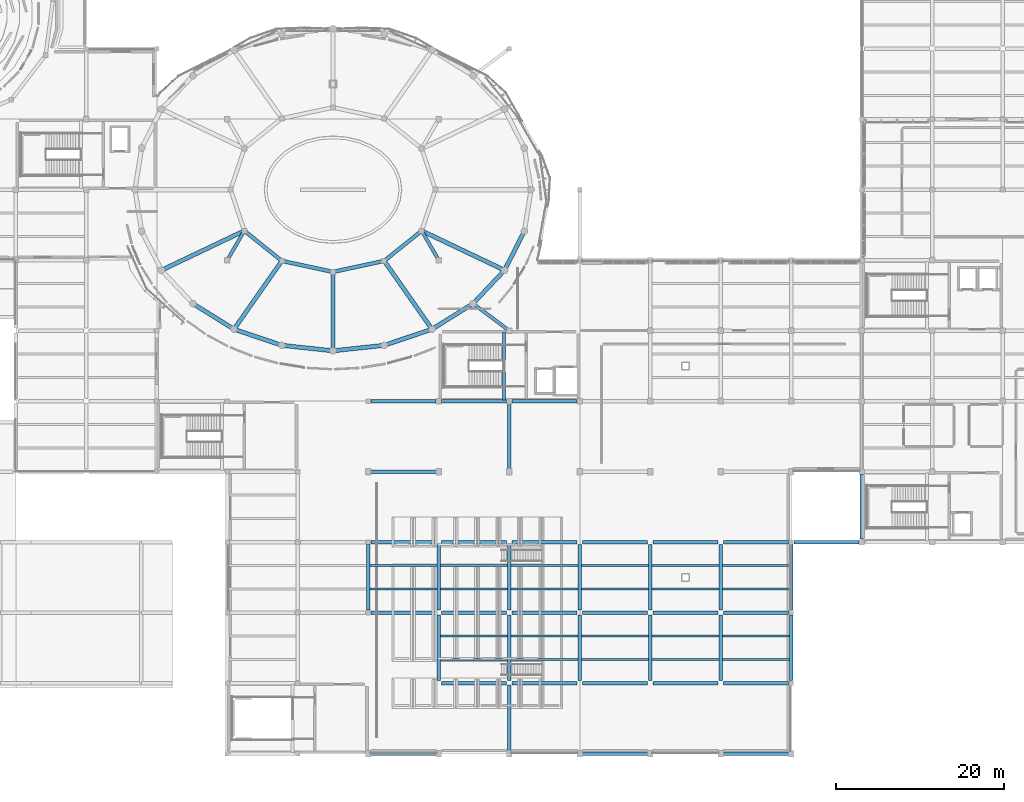
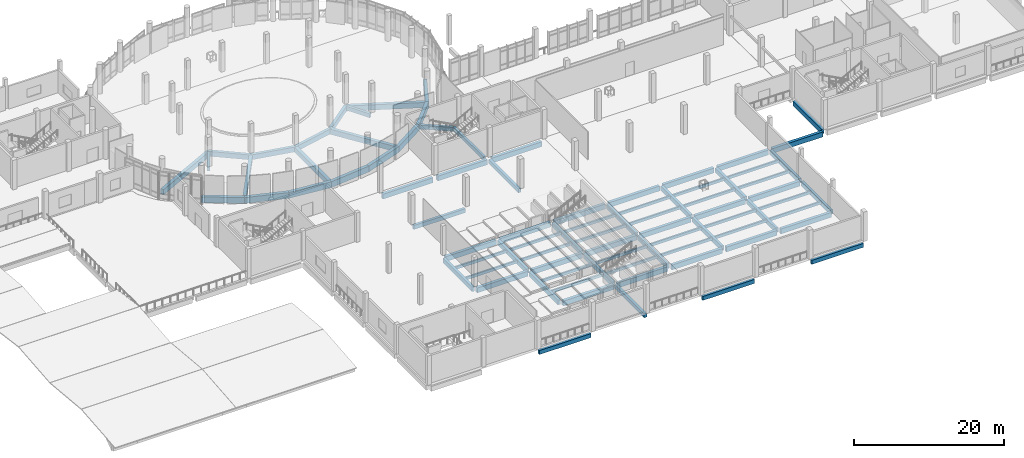
# One storey, part 5 of 63: 84 beams.
"""IFC4 building model written with IfcOpenShell, lengths in metres."""

from ifc_helpers import new_model, si_unit, derived_unit, direction, frame, origin, origin_2d, place, context, subcontext, project, spatial, rectangle, extrude, material, material_profile, profile_set, type_object, element, save


model = new_model("IFC4")

# Units and contexts
model_context = context("Model", 3, precision=1e-05, world=origin(), true_north=direction((0.0, 1.0)))
body_context = subcontext(model_context, "Body", "Model", "MODEL_VIEW")
ifc_project = project(units=[si_unit("LENGTHUNIT", "METRE"), si_unit("AREAUNIT", "SQUARE_METRE"), si_unit("VOLUMEUNIT", "CUBIC_METRE"), si_unit("PLANEANGLEUNIT", "RADIAN"), si_unit("MASSUNIT", "GRAM", prefix="KILO"), derived_unit("THERMALTRANSMITTANCEUNIT", [(si_unit("POWERUNIT", "WATT"), 1), (si_unit("LENGTHUNIT", "METRE"), -2), (si_unit("THERMODYNAMICTEMPERATUREUNIT", "KELVIN"), -1)])], contexts=[model_context])

# Site, building, storey
site_placement = place(None, origin())
site = spatial("IfcSite", under=ifc_project, at=site_placement, CompositionType="ELEMENT")
building_placement = place(site_placement, origin())
building = spatial("IfcBuilding", under=site, at=building_placement, Name="Elbkamm Science Centre", CompositionType="ELEMENT")
storey_placement = place(building_placement, frame((0.0, 0.0, 5.10009765625)))
storey = spatial("IfcBuildingStorey", under=building, at=storey_placement, Name="L01", CompositionType="ELEMENT", Elevation=5.10009765625)

# Beams
ifc_material = material(Name="Concrete C40/50", Category="concrete")
ifc_material_profile_1 = material_profile(ifc_material, rectangle(XDim=0.35009765625, YDim=0.60009765625, at=origin_2d()), Name="RC 350x600")
ifc_profile_set_1 = profile_set([ifc_material_profile_1], Name="Concrete C40/50")
beam_type_1 = type_object("IfcBeamType", Name="BM-RC-350x600", PredefinedType="BEAM", material=ifc_profile_set_1)
beam_1_placement = place(storey_placement, frame((83.3798828125, 42.14990234375, -0.300048828125), z_axis=(0.0, 1.0, 0.0), x_axis=(-1.0, 0.0, 0.0)))
element("IfcBeam", 1, at=beam_1_placement, inside=storey, type_object=beam_type_1, Name="L01 ST-C2 Landing Trimmer Beam", PredefinedType="BEAM", context=body_context, shape_type="SweptSolid", body=[
    extrude(rectangle(XDim=0.35009765625, YDim=0.60009765625, at=origin_2d()), origin(), (0.0, 0.0, 1.0), 8.10009765625),
])
ifc_material_profile_2 = material_profile(ifc_material, rectangle(XDim=0.39990234375, YDim=0.64990234375, at=origin_2d()), Name="RC 400x650")
ifc_profile_set_2 = profile_set([ifc_material_profile_2], Name="Concrete C40/50")
beam_type_2 = type_object("IfcBeamType", Name="BM-RC-400x650", PredefinedType="BEAM", material=ifc_profile_set_2)
for number, where, z_axis, x_axis, name in (
    (2, (67.419921875, 0.0, -0.72509765625), (1.0, 0.0, 0.0), (0.0, 1.0, 0.0), "L01 Perimeter Ring Tie Girder 018"),
    (3, (67.419921875, 33.60009765625, -0.72509765625), (1.0, 0.0, 0.0), (0.0, 1.0, 0.0), "L01 Perimeter Ring Tie Girder 019"),
    (4, (84.0, 0.219970703125, -0.72509765625), (0.0, 1.0, 0.0), (-1.0, 0.0, 0.0), "L01 Perimeter Ring Tie Girder 020"),
    (5, (84.0, 33.820068359375, -0.72509765625), (0.0, 1.0, 0.0), (-1.0, 0.0, 0.0), "L01 Perimeter Ring Tie Girder 021"),
    (6, (92.6201171875, 0.0, -0.72509765625), (1.0, 0.0, 0.0), (0.0, 1.0, 0.0), "L01 Perimeter Ring Tie Girder 022"),
    (7, (109.419921875, 0.0, -0.72509765625), (1.0, 0.0, 0.0), (0.0, 1.0, 0.0), "L01 Perimeter Ring Tie Girder 024"),
):
    element("IfcBeam", number, at=place(storey_placement, frame(where, z_axis=z_axis, x_axis=x_axis)), inside=storey, type_object=beam_type_2, Name=name, PredefinedType="BEAM", context=body_context, shape_type="SweptSolid", body=[
        extrude(rectangle(XDim=0.39990234375, YDim=0.64990234375, at=origin_2d()), origin(), (0.0, 0.0, 1.0), 7.9599609375),
    ])
for number, where, z_axis, x_axis, name in (
    (8, (50.510498046875, 58.990234375, -0.72509765625), (0.502465212806, 0.864597426506, 0.0), (-0.864597426506, 0.502465212806, 0.0), "L01 Perimeter Ring Tie Girder 027"),
    (9, (75.489501953125, 58.990234375, -0.72509765625), (-0.502465212806, 0.864597426506, 0.0), (-0.864597426506, -0.502465212806, 0.0), "L01 Perimeter Ring Tie Girder 029"),
):
    element("IfcBeam", number, at=place(storey_placement, frame(where, z_axis=z_axis, x_axis=x_axis)), inside=storey, type_object=beam_type_2, Name=name, PredefinedType="BEAM", context=body_context, shape_type="SweptSolid", body=[
        extrude(rectangle(XDim=0.39990234375, YDim=0.64990234375, at=origin_2d()), origin(), (0.0, 0.0, 1.0), 3.608154296875),
    ])
beam_2_placement = place(storey_placement, frame((83.82373046875, 50.53173828125, -0.72509765625), z_axis=(-0.80088801, 0.59881415768, 0.0), x_axis=(-0.59881415768, -0.80088801, 0.0)))
element("IfcBeam", 10, at=beam_2_placement, inside=storey, type_object=beam_type_2, Name="L01 Perimeter Ring Tie Girder 031", PredefinedType="BEAM", context=body_context, shape_type="SweptSolid", body=[
    extrude(rectangle(XDim=0.39990234375, YDim=0.64990234375, at=origin_2d()), origin(), (0.0, 0.0, 1.0), 4.94384765625),
])
ifc_material_profile_3 = material_profile(ifc_material, rectangle(XDim=0.39990234375, YDim=0.75, at=origin_2d()), Name="RC 400x750")
ifc_profile_set_3 = profile_set([ifc_material_profile_3], Name="Concrete C40/50")
beam_type_3 = type_object("IfcBeamType", Name="BM-RC-400x750", PredefinedType="BEAM", material=ifc_profile_set_3)
beam_3_placement = place(storey_placement, frame((67.199951171875, 17.10009765625, -0.775146484375), z_axis=(0.0, 1.0, 0.0), x_axis=(-1.0, 0.0, 0.0)))
element("IfcBeam", 11, at=beam_3_placement, inside=storey, type_object=beam_type_3, Name="L01 Primary Y-Girder 021", PredefinedType="BEAM", context=body_context, shape_type="SweptSolid", body=[
    extrude(rectangle(XDim=0.39990234375, YDim=0.75, at=origin_2d()), origin(), (0.0, 0.0, 1.0), 7.7998046875),
])
beam_4_placement = place(storey_placement, frame((75.60009765625, 8.699951171875, -0.775146484375), z_axis=(0.0, 1.0, 0.0), x_axis=(-1.0, 0.0, 0.0)))
element("IfcBeam", 12, at=beam_4_placement, inside=storey, type_object=beam_type_3, Name="L01 Primary Y-Girder 022", PredefinedType="BEAM", context=body_context, shape_type="SweptSolid", body=[
    extrude(rectangle(XDim=0.39990234375, YDim=0.75, at=origin_2d()), origin(), (0.0, 0.0, 1.0), 7.800048828125),
])
beam_5_placement = place(storey_placement, frame((75.60009765625, 17.10009765625, -0.775146484375), z_axis=(0.0, 1.0, 0.0), x_axis=(-1.0, 0.0, 0.0)))
element("IfcBeam", 13, at=beam_5_placement, inside=storey, type_object=beam_type_3, Name="L01 Primary Y-Girder 023", PredefinedType="BEAM", context=body_context, shape_type="SweptSolid", body=[
    extrude(rectangle(XDim=0.39990234375, YDim=0.75, at=origin_2d()), origin(), (0.0, 0.0, 1.0), 7.7998046875),
])
beam_6_placement = place(storey_placement, frame((84.0, 8.699951171875, -0.775146484375), z_axis=(0.0, 1.0, 0.0), x_axis=(-1.0, 0.0, 0.0)))
element("IfcBeam", 14, at=beam_6_placement, inside=storey, type_object=beam_type_3, Name="L01 Primary Y-Girder 024", PredefinedType="BEAM", context=body_context, shape_type="SweptSolid", body=[
    extrude(rectangle(XDim=0.39990234375, YDim=0.75, at=origin_2d()), origin(), (0.0, 0.0, 1.0), 7.800048828125),
])
beam_7_placement = place(storey_placement, frame((84.0, 17.10009765625, -0.775146484375), z_axis=(0.0, 1.0, 0.0), x_axis=(-1.0, 0.0, 0.0)))
element("IfcBeam", 15, at=beam_7_placement, inside=storey, type_object=beam_type_3, Name="L01 Primary Y-Girder 025", PredefinedType="BEAM", context=body_context, shape_type="SweptSolid", body=[
    extrude(rectangle(XDim=0.39990234375, YDim=0.75, at=origin_2d()), origin(), (0.0, 0.0, 1.0), 7.7998046875),
])
beam_8_placement = place(storey_placement, frame((92.39990234375, 8.699951171875, -0.775146484375), z_axis=(0.0, 1.0, 0.0), x_axis=(-1.0, 0.0, 0.0)))
element("IfcBeam", 16, at=beam_8_placement, inside=storey, type_object=beam_type_3, Name="L01 Primary Y-Girder 026", PredefinedType="BEAM", context=body_context, shape_type="SweptSolid", body=[
    extrude(rectangle(XDim=0.39990234375, YDim=0.75, at=origin_2d()), origin(), (0.0, 0.0, 1.0), 7.800048828125),
])
beam_9_placement = place(storey_placement, frame((92.39990234375, 17.10009765625, -0.775146484375), z_axis=(0.0, 1.0, 0.0), x_axis=(-1.0, 0.0, 0.0)))
element("IfcBeam", 17, at=beam_9_placement, inside=storey, type_object=beam_type_3, Name="L01 Primary Y-Girder 027", PredefinedType="BEAM", context=body_context, shape_type="SweptSolid", body=[
    extrude(rectangle(XDim=0.39990234375, YDim=0.75, at=origin_2d()), origin(), (0.0, 0.0, 1.0), 7.7998046875),
])
beam_10_placement = place(storey_placement, frame((100.800048828125, 8.699951171875, -0.775146484375), z_axis=(0.0, 1.0, 0.0), x_axis=(-1.0, 0.0, 0.0)))
element("IfcBeam", 18, at=beam_10_placement, inside=storey, type_object=beam_type_3, Name="L01 Primary Y-Girder 029", PredefinedType="BEAM", context=body_context, shape_type="SweptSolid", body=[
    extrude(rectangle(XDim=0.39990234375, YDim=0.75, at=origin_2d()), origin(), (0.0, 0.0, 1.0), 7.800048828125),
])
beam_11_placement = place(storey_placement, frame((100.800048828125, 17.10009765625, -0.775146484375), z_axis=(0.0, 1.0, 0.0), x_axis=(-1.0, 0.0, 0.0)))
element("IfcBeam", 19, at=beam_11_placement, inside=storey, type_object=beam_type_3, Name="L01 Primary Y-Girder 030", PredefinedType="BEAM", context=body_context, shape_type="SweptSolid", body=[
    extrude(rectangle(XDim=0.39990234375, YDim=0.75, at=origin_2d()), origin(), (0.0, 0.0, 1.0), 7.7998046875),
])
beam_12_placement = place(storey_placement, frame((109.199951171875, 8.699951171875, -0.775146484375), z_axis=(0.0, 1.0, 0.0), x_axis=(-1.0, 0.0, 0.0)))
element("IfcBeam", 20, at=beam_12_placement, inside=storey, type_object=beam_type_3, Name="L01 Primary Y-Girder 033", PredefinedType="BEAM", context=body_context, shape_type="SweptSolid", body=[
    extrude(rectangle(XDim=0.39990234375, YDim=0.75, at=origin_2d()), origin(), (0.0, 0.0, 1.0), 7.800048828125),
])
beam_13_placement = place(storey_placement, frame((109.199951171875, 17.10009765625, -0.775146484375), z_axis=(0.0, 1.0, 0.0), x_axis=(-1.0, 0.0, 0.0)))
element("IfcBeam", 21, at=beam_13_placement, inside=storey, type_object=beam_type_3, Name="L01 Primary Y-Girder 034", PredefinedType="BEAM", context=body_context, shape_type="SweptSolid", body=[
    extrude(rectangle(XDim=0.39990234375, YDim=0.75, at=origin_2d()), origin(), (0.0, 0.0, 1.0), 7.7998046875),
])
beam_14_placement = place(storey_placement, frame((117.60009765625, 8.699951171875, -0.775146484375), z_axis=(0.0, 1.0, 0.0), x_axis=(-1.0, 0.0, 0.0)))
element("IfcBeam", 22, at=beam_14_placement, inside=storey, type_object=beam_type_3, Name="L01 Primary Y-Girder 037", PredefinedType="BEAM", context=body_context, shape_type="SweptSolid", body=[
    extrude(rectangle(XDim=0.39990234375, YDim=0.75, at=origin_2d()), origin(), (0.0, 0.0, 1.0), 7.800048828125),
])
beam_15_placement = place(storey_placement, frame((117.60009765625, 17.10009765625, -0.775146484375), z_axis=(0.0, 1.0, 0.0), x_axis=(-1.0, 0.0, 0.0)))
element("IfcBeam", 23, at=beam_15_placement, inside=storey, type_object=beam_type_3, Name="L01 Primary Y-Girder 038", PredefinedType="BEAM", context=body_context, shape_type="SweptSolid", body=[
    extrude(rectangle(XDim=0.39990234375, YDim=0.75, at=origin_2d()), origin(), (0.0, 0.0, 1.0), 7.7998046875),
])
beam_16_placement = place(storey_placement, frame((126.0, 25.550048828125, -0.775146484375), z_axis=(0.0, 1.0, 0.0), x_axis=(-1.0, 0.0, 0.0)))
element("IfcBeam", 24, at=beam_16_placement, inside=storey, type_object=beam_type_3, Name="L01 Primary Y-Girder 041", PredefinedType="BEAM", context=body_context, shape_type="SweptSolid", body=[
    extrude(rectangle(XDim=0.39990234375, YDim=0.75, at=origin_2d()), origin(), (0.0, 0.0, 1.0), 7.699951171875),
])
ifc_material_profile_4 = material_profile(ifc_material, rectangle(XDim=0.449951171875, YDim=0.800048828125, at=origin_2d()), Name="RC 450x800")
ifc_profile_set_4 = profile_set([ifc_material_profile_4], Name="Concrete C40/50")
beam_type_4 = type_object("IfcBeamType", Name="BM-RC-450x800", PredefinedType="BEAM", material=ifc_profile_set_4)
for number, where, z_axis, x_axis, name in (
    (25, (75.89990234375, 8.39990234375, -0.800048828125), (1.0, 0.0, 0.0), (0.0, 1.0, 0.0), "L01 Primary X-Girder 003"),
    (26, (84.300048828125, 8.39990234375, -0.800048828125), (1.0, 0.0, 0.0), (0.0, 1.0, 0.0), "L01 Primary X-Girder 004"),
    (27, (92.699951171875, 8.39990234375, -0.800048828125), (1.0, 0.0, 0.0), (0.0, 1.0, 0.0), "L01 Primary X-Girder 005"),
):
    element("IfcBeam", number, at=place(storey_placement, frame(where, z_axis=z_axis, x_axis=x_axis)), inside=storey, type_object=beam_type_4, Name=name, PredefinedType="BEAM", context=body_context, shape_type="SweptSolid", body=[
        extrude(rectangle(XDim=0.449951171875, YDim=0.800048828125, at=origin_2d()), origin(), (0.0, 0.0, 1.0), 7.800048828125),
    ])
beam_17_placement = place(storey_placement, frame((101.10009765625, 8.39990234375, -0.800048828125), z_axis=(1.0, 0.0, 0.0), x_axis=(0.0, 1.0, 0.0)))
element("IfcBeam", 28, at=beam_17_placement, inside=storey, type_object=beam_type_4, Name="L01 Primary X-Girder 006", PredefinedType="BEAM", context=body_context, shape_type="SweptSolid", body=[
    extrude(rectangle(XDim=0.449951171875, YDim=0.800048828125, at=origin_2d()), origin(), (0.0, 0.0, 1.0), 7.7998046875),
])
for number, where, z_axis, x_axis, name in (
    (29, (109.5, 8.39990234375, -0.800048828125), (1.0, 0.0, 0.0), (0.0, 1.0, 0.0), "L01 Primary X-Girder 007"),
    (30, (67.5, 16.800048828125, -0.800048828125), (1.0, 0.0, 0.0), (0.0, 1.0, 0.0), "L01 Primary X-Girder 010"),
    (31, (75.89990234375, 16.800048828125, -0.800048828125), (1.0, 0.0, 0.0), (0.0, 1.0, 0.0), "L01 Primary X-Girder 011"),
    (32, (84.300048828125, 16.800048828125, -0.800048828125), (1.0, 0.0, 0.0), (0.0, 1.0, 0.0), "L01 Primary X-Girder 012"),
    (33, (92.699951171875, 16.800048828125, -0.800048828125), (1.0, 0.0, 0.0), (0.0, 1.0, 0.0), "L01 Primary X-Girder 013"),
):
    element("IfcBeam", number, at=place(storey_placement, frame(where, z_axis=z_axis, x_axis=x_axis)), inside=storey, type_object=beam_type_4, Name=name, PredefinedType="BEAM", context=body_context, shape_type="SweptSolid", body=[
        extrude(rectangle(XDim=0.449951171875, YDim=0.800048828125, at=origin_2d()), origin(), (0.0, 0.0, 1.0), 7.800048828125),
    ])
beam_18_placement = place(storey_placement, frame((101.10009765625, 16.800048828125, -0.800048828125), z_axis=(1.0, 0.0, 0.0), x_axis=(0.0, 1.0, 0.0)))
element("IfcBeam", 34, at=beam_18_placement, inside=storey, type_object=beam_type_4, Name="L01 Primary X-Girder 014", PredefinedType="BEAM", context=body_context, shape_type="SweptSolid", body=[
    extrude(rectangle(XDim=0.449951171875, YDim=0.800048828125, at=origin_2d()), origin(), (0.0, 0.0, 1.0), 7.7998046875),
])
for number, where, z_axis, x_axis, name in (
    (35, (109.5, 16.800048828125, -0.800048828125), (1.0, 0.0, 0.0), (0.0, 1.0, 0.0), "L01 Primary X-Girder 015"),
    (36, (67.5, 25.199951171875, -0.800048828125), (1.0, 0.0, 0.0), (0.0, 1.0, 0.0), "L01 Primary X-Girder 018"),
    (37, (75.89990234375, 25.199951171875, -0.800048828125), (1.0, 0.0, 0.0), (0.0, 1.0, 0.0), "L01 Primary X-Girder 019"),
    (38, (84.300048828125, 25.199951171875, -0.800048828125), (1.0, 0.0, 0.0), (0.0, 1.0, 0.0), "L01 Primary X-Girder 020"),
    (39, (92.699951171875, 25.199951171875, -0.800048828125), (1.0, 0.0, 0.0), (0.0, 1.0, 0.0), "L01 Primary X-Girder 021"),
):
    element("IfcBeam", number, at=place(storey_placement, frame(where, z_axis=z_axis, x_axis=x_axis)), inside=storey, type_object=beam_type_4, Name=name, PredefinedType="BEAM", context=body_context, shape_type="SweptSolid", body=[
        extrude(rectangle(XDim=0.449951171875, YDim=0.800048828125, at=origin_2d()), origin(), (0.0, 0.0, 1.0), 7.800048828125),
    ])
beam_19_placement = place(storey_placement, frame((101.10009765625, 25.199951171875, -0.800048828125), z_axis=(1.0, 0.0, 0.0), x_axis=(0.0, 1.0, 0.0)))
element("IfcBeam", 40, at=beam_19_placement, inside=storey, type_object=beam_type_4, Name="L01 Primary X-Girder 022", PredefinedType="BEAM", context=body_context, shape_type="SweptSolid", body=[
    extrude(rectangle(XDim=0.449951171875, YDim=0.800048828125, at=origin_2d()), origin(), (0.0, 0.0, 1.0), 7.7998046875),
])
beam_20_placement = place(storey_placement, frame((109.5, 25.199951171875, -0.800048828125), z_axis=(1.0, 0.0, 0.0), x_axis=(0.0, 1.0, 0.0)))
element("IfcBeam", 41, at=beam_20_placement, inside=storey, type_object=beam_type_4, Name="L01 Primary X-Girder 023", PredefinedType="BEAM", context=body_context, shape_type="SweptSolid", body=[
    extrude(rectangle(XDim=0.449951171875, YDim=0.800048828125, at=origin_2d()), origin(), (0.0, 0.0, 1.0), 7.800048828125),
])
for number, where, z_axis, x_axis, name in (
    (42, (117.89990234375, 25.199951171875, -0.800048828125), (1.0, 0.0, 0.0), (0.0, 1.0, 0.0), "L01 Primary X-Girder 024"),
    (43, (67.5, 42.0, -0.800048828125), (1.0, 0.0, 0.0), (0.0, 1.0, 0.0), "L01 Primary X-Girder 038"),
):
    element("IfcBeam", number, at=place(storey_placement, frame(where, z_axis=z_axis, x_axis=x_axis)), inside=storey, type_object=beam_type_4, Name=name, PredefinedType="BEAM", context=body_context, shape_type="SweptSolid", body=[
        extrude(rectangle(XDim=0.449951171875, YDim=0.800048828125, at=origin_2d()), origin(), (0.0, 0.0, 1.0), 7.75),
    ])
for number, where, z_axis, x_axis, name in (
    (44, (75.949951171875, 42.0, -0.800048828125), (1.0, 0.0, 0.0), (0.0, 1.0, 0.0), "L01 Primary X-Girder 039"),
    (45, (84.35009765625, 42.0, -0.800048828125), (1.0, 0.0, 0.0), (0.0, 1.0, 0.0), "L01 Primary X-Girder 040"),
):
    element("IfcBeam", number, at=place(storey_placement, frame(where, z_axis=z_axis, x_axis=x_axis)), inside=storey, type_object=beam_type_4, Name=name, PredefinedType="BEAM", context=body_context, shape_type="SweptSolid", body=[
        extrude(rectangle(XDim=0.449951171875, YDim=0.800048828125, at=origin_2d()), origin(), (0.0, 0.0, 1.0), 7.699951171875),
    ])
beam_21_placement = place(storey_placement, frame((52.43408203125, 62.300048828125, -0.800048828125), z_axis=(0.779632299843, -0.626237556396, 0.0), x_axis=(0.626237556396, 0.779632299843, 0.0)))
element("IfcBeam", 46, at=beam_21_placement, inside=storey, type_object=beam_type_4, Name="L01 Atrium Ring Girder 08", PredefinedType="BEAM", context=body_context, shape_type="SweptSolid", body=[
    extrude(rectangle(XDim=0.449951171875, YDim=0.800048828125, at=origin_2d()), origin(), (0.0, 0.0, 1.0), 5.72802734375),
])
for number, where, z_axis, x_axis, name in (
    (47, (56.89990234375, 58.712890625, -0.800048828125), (0.97761076487, -0.210421463759, 0.0), (0.210421463759, 0.97761076487, 0.0), "L01 Atrium Ring Girder 09"),
    (48, (63.0, 57.39990234375, -0.800048828125), (0.97761076487, 0.210421463759, 0.0), (-0.210421463759, 0.97761076487, 0.0), "L01 Atrium Ring Girder 10"),
):
    element("IfcBeam", number, at=place(storey_placement, frame(where, z_axis=z_axis, x_axis=x_axis)), inside=storey, type_object=beam_type_4, Name=name, PredefinedType="BEAM", context=body_context, shape_type="SweptSolid", body=[
        extrude(rectangle(XDim=0.449951171875, YDim=0.800048828125, at=origin_2d()), origin(), (0.0, 0.0, 1.0), 6.23974609375),
    ])
beam_22_placement = place(storey_placement, frame((69.10009765625, 58.712890625, -0.800048828125), z_axis=(0.779632299843, 0.626237556396, 0.0), x_axis=(-0.626237556396, 0.779632299843, 0.0)))
element("IfcBeam", 49, at=beam_22_placement, inside=storey, type_object=beam_type_4, Name="L01 Atrium Ring Girder 11", PredefinedType="BEAM", context=body_context, shape_type="SweptSolid", body=[
    extrude(rectangle(XDim=0.449951171875, YDim=0.800048828125, at=origin_2d()), origin(), (0.0, 0.0, 1.0), 5.72802734375),
])
ifc_material_profile_5 = material_profile(ifc_material, rectangle(XDim=0.5, YDim=0.85009765625, at=origin_2d()), Name="RC 500x850")
ifc_profile_set_5 = profile_set([ifc_material_profile_5], Name="Concrete C40/50")
beam_type_5 = type_object("IfcBeamType", Name="BM-RC-500x850", PredefinedType="BEAM", material=ifc_profile_set_5)
beam_23_placement = place(storey_placement, frame((52.43408203125, 62.300048828125, -0.8251953125), z_axis=(-0.902897249077, -0.429856438371, 0.0), x_axis=(0.429856438371, -0.902897249077, 0.0)))
element("IfcBeam", 50, at=beam_23_placement, inside=storey, type_object=beam_type_5, Name="L01 Elliptical Radial Girder 08", PredefinedType="BEAM", context=body_context, shape_type="SweptSolid", body=[
    extrude(rectangle(XDim=0.5, YDim=0.85009765625, at=origin_2d()), origin(), (0.0, 0.0, 1.0), 10.933837890625),
])
beam_24_placement = place(storey_placement, frame((56.89990234375, 58.712890625, -0.8251953125), z_axis=(-0.573553022395, -0.819168438419, 0.0), x_axis=(0.819168438419, -0.573553022395, 0.0)))
element("IfcBeam", 51, at=beam_24_placement, inside=storey, type_object=beam_type_5, Name="L01 Elliptical Radial Girder 09", PredefinedType="BEAM", context=body_context, shape_type="SweptSolid", body=[
    extrude(rectangle(XDim=0.5, YDim=0.85009765625, at=origin_2d()), origin(), (0.0, 0.0, 1.0), 9.93798828125),
])
beam_25_placement = place(storey_placement, frame((63.0, 57.39990234375, -0.8251953125), z_axis=(0.0, -1.0, 0.0), x_axis=(1.0, 0.0, 0.0)))
element("IfcBeam", 52, at=beam_25_placement, inside=storey, type_object=beam_type_5, Name="L01 Elliptical Radial Girder 10", PredefinedType="BEAM", context=body_context, shape_type="SweptSolid", body=[
    extrude(rectangle(XDim=0.5, YDim=0.85009765625, at=origin_2d()), origin(), (0.0, 0.0, 1.0), 9.39990234375),
])
beam_26_placement = place(storey_placement, frame((69.10009765625, 58.712890625, -0.8251953125), z_axis=(0.573553022395, -0.819168438419, 0.0), x_axis=(0.819168438419, 0.573553022395, 0.0)))
element("IfcBeam", 53, at=beam_26_placement, inside=storey, type_object=beam_type_5, Name="L01 Elliptical Radial Girder 11", PredefinedType="BEAM", context=body_context, shape_type="SweptSolid", body=[
    extrude(rectangle(XDim=0.5, YDim=0.85009765625, at=origin_2d()), origin(), (0.0, 0.0, 1.0), 9.93798828125),
])
beam_27_placement = place(storey_placement, frame((73.56591796875, 62.300048828125, -0.8251953125), z_axis=(0.902897249077, -0.429856438371, 0.0), x_axis=(0.429856438371, 0.902897249077, 0.0)))
element("IfcBeam", 54, at=beam_27_placement, inside=storey, type_object=beam_type_5, Name="L01 Elliptical Radial Girder 12", PredefinedType="BEAM", context=body_context, shape_type="SweptSolid", body=[
    extrude(rectangle(XDim=0.5, YDim=0.85009765625, at=origin_2d()), origin(), (0.0, 0.0, 1.0), 10.933837890625),
])
ifc_material_profile_6 = material_profile(ifc_material, rectangle(XDim=0.5, YDim=0.949951171875, at=origin_2d()), Name="RC 500x950")
ifc_profile_set_6 = profile_set([ifc_material_profile_6], Name="Concrete C40/50")
beam_type_6 = type_object("IfcBeamType", Name="BM-RC-500x950", PredefinedType="BEAM", material=ifc_profile_set_6)
beam_28_placement = place(storey_placement, frame((46.31201171875, 53.6240234375, -0.875), z_axis=(0.848229099729, -0.529629487824, 0.0), x_axis=(0.529629487824, 0.848229099729, 0.0)))
element("IfcBeam", 55, at=beam_28_placement, inside=storey, type_object=beam_type_6, Name="L01 Elliptical Shell Perimeter Ring Beam 16", PredefinedType="SPANDREL", context=body_context, shape_type="SweptSolid", body=[
    extrude(rectangle(XDim=0.5, YDim=0.949951171875, at=origin_2d()), origin(), (0.0, 0.0, 1.0), 5.762451171875),
])
beam_29_placement = place(storey_placement, frame((51.199951171875, 50.572021484375, -0.875), z_axis=(0.947649950761, -0.319311087848, 0.0), x_axis=(0.319311087848, 0.947649950761, 0.0)))
element("IfcBeam", 56, at=beam_29_placement, inside=storey, type_object=beam_type_6, Name="L01 Elliptical Shell Perimeter Ring Beam 17", PredefinedType="SPANDREL", context=body_context, shape_type="SweptSolid", body=[
    extrude(rectangle(XDim=0.5, YDim=0.949951171875, at=origin_2d()), origin(), (0.0, 0.0, 1.0), 6.006591796875),
])
for number, where, z_axis, x_axis, name in (
    (57, (56.89208984375, 48.654052734375, -0.875), (0.994315467109, -0.106474184043, 0.0), (0.106474184043, 0.994315467109, 0.0), "L01 Elliptical Shell Perimeter Ring Beam 18"),
    (58, (63.0, 48.0, -0.875), (0.994315467109, 0.106474184043, 0.0), (-0.106474184043, 0.994315467109, 0.0), "L01 Elliptical Shell Perimeter Ring Beam 19"),
):
    element("IfcBeam", number, at=place(storey_placement, frame(where, z_axis=z_axis, x_axis=x_axis)), inside=storey, type_object=beam_type_6, Name=name, PredefinedType="SPANDREL", context=body_context, shape_type="SweptSolid", body=[
        extrude(rectangle(XDim=0.5, YDim=0.949951171875, at=origin_2d()), origin(), (0.0, 0.0, 1.0), 6.142822265625),
    ])
beam_30_placement = place(storey_placement, frame((69.10791015625, 48.654052734375, -0.875), z_axis=(0.947649950761, 0.319311087848, 0.0), x_axis=(-0.319311087848, 0.947649950761, 0.0)))
element("IfcBeam", 59, at=beam_30_placement, inside=storey, type_object=beam_type_6, Name="L01 Elliptical Shell Perimeter Ring Beam 20", PredefinedType="SPANDREL", context=body_context, shape_type="SweptSolid", body=[
    extrude(rectangle(XDim=0.5, YDim=0.949951171875, at=origin_2d()), origin(), (0.0, 0.0, 1.0), 6.006591796875),
])
beam_31_placement = place(storey_placement, frame((74.800048828125, 50.572021484375, -0.875), z_axis=(0.848229099729, 0.529629487824, 0.0), x_axis=(-0.529629487824, 0.848229099729, 0.0)))
element("IfcBeam", 60, at=beam_31_placement, inside=storey, type_object=beam_type_6, Name="L01 Elliptical Shell Perimeter Ring Beam 21", PredefinedType="SPANDREL", context=body_context, shape_type="SweptSolid", body=[
    extrude(rectangle(XDim=0.5, YDim=0.949951171875, at=origin_2d()), origin(), (0.0, 0.0, 1.0), 5.762451171875),
])
beam_32_placement = place(storey_placement, frame((79.68798828125, 53.6240234375, -0.875), z_axis=(0.686122314522, 0.727486198848, 0.0), x_axis=(-0.727486198848, 0.686122314522, 0.0)))
element("IfcBeam", 61, at=beam_32_placement, inside=storey, type_object=beam_type_6, Name="L01 Elliptical Shell Perimeter Ring Beam 22", PredefinedType="SPANDREL", context=body_context, shape_type="SweptSolid", body=[
    extrude(rectangle(XDim=0.5, YDim=0.949951171875, at=origin_2d()), origin(), (0.0, 0.0, 1.0), 5.465576171875),
])
beam_33_placement = place(storey_placement, frame((83.43798828125, 57.60009765625, -0.875), z_axis=(0.45374138036, 0.891133412991, 0.0), x_axis=(-0.891133412991, 0.45374138036, 0.0)))
element("IfcBeam", 62, at=beam_33_placement, inside=storey, type_object=beam_type_6, Name="L01 Elliptical Shell Perimeter Ring Beam 23", PredefinedType="SPANDREL", context=body_context, shape_type="SweptSolid", body=[
    extrude(rectangle(XDim=0.5, YDim=0.949951171875, at=origin_2d()), origin(), (0.0, 0.0, 1.0), 5.196533203125),
])
ifc_material_profile_7 = material_profile(ifc_material, rectangle(XDim=0.25, YDim=0.449951171875, at=origin_2d()), Name="RC 250x450")
ifc_profile_set_7 = profile_set([ifc_material_profile_7], Name="Concrete C40/50")
beam_type_7 = type_object("IfcBeamType", Name="JST-RC-250x450", PredefinedType="JOIST", material=ifc_profile_set_7)
for number, where, z_axis, x_axis, name in (
    (63, (67.3798828125, 19.60009765625, -0.625), (1.0, 0.0, 0.0), (0.0, 1.0, 0.0), "L01 Secondary Floor Joist 023"),
    (64, (67.3798828125, 22.39990234375, -0.625), (1.0, 0.0, 0.0), (0.0, 1.0, 0.0), "L01 Secondary Floor Joist 024"),
    (65, (75.780029296875, 11.199951171875, -0.625), (1.0, 0.0, 0.0), (0.0, 1.0, 0.0), "L01 Secondary Floor Joist 025"),
    (66, (75.780029296875, 14.0, -0.625), (1.0, 0.0, 0.0), (0.0, 1.0, 0.0), "L01 Secondary Floor Joist 026"),
    (67, (75.780029296875, 19.60009765625, -0.625), (1.0, 0.0, 0.0), (0.0, 1.0, 0.0), "L01 Secondary Floor Joist 027"),
    (68, (75.780029296875, 22.39990234375, -0.625), (1.0, 0.0, 0.0), (0.0, 1.0, 0.0), "L01 Secondary Floor Joist 028"),
    (69, (84.179931640625, 11.199951171875, -0.625), (1.0, 0.0, 0.0), (0.0, 1.0, 0.0), "L01 Secondary Floor Joist 029"),
    (70, (84.179931640625, 14.0, -0.625), (1.0, 0.0, 0.0), (0.0, 1.0, 0.0), "L01 Secondary Floor Joist 030"),
    (71, (84.179931640625, 19.60009765625, -0.625), (1.0, 0.0, 0.0), (0.0, 1.0, 0.0), "L01 Secondary Floor Joist 031"),
    (72, (84.179931640625, 22.39990234375, -0.625), (1.0, 0.0, 0.0), (0.0, 1.0, 0.0), "L01 Secondary Floor Joist 032"),
    (73, (92.580078125, 11.199951171875, -0.625), (1.0, 0.0, 0.0), (0.0, 1.0, 0.0), "L01 Secondary Floor Joist 033"),
    (74, (92.580078125, 14.0, -0.625), (1.0, 0.0, 0.0), (0.0, 1.0, 0.0), "L01 Secondary Floor Joist 034"),
    (75, (92.580078125, 19.60009765625, -0.625), (1.0, 0.0, 0.0), (0.0, 1.0, 0.0), "L01 Secondary Floor Joist 035"),
    (76, (92.580078125, 22.39990234375, -0.625), (1.0, 0.0, 0.0), (0.0, 1.0, 0.0), "L01 Secondary Floor Joist 036"),
    (77, (100.97998046875, 11.199951171875, -0.625), (1.0, 0.0, 0.0), (0.0, 1.0, 0.0), "L01 Secondary Floor Joist 037"),
    (78, (100.97998046875, 14.0, -0.625), (1.0, 0.0, 0.0), (0.0, 1.0, 0.0), "L01 Secondary Floor Joist 038"),
    (79, (100.97998046875, 19.60009765625, -0.625), (1.0, 0.0, 0.0), (0.0, 1.0, 0.0), "L01 Secondary Floor Joist 039"),
    (80, (100.97998046875, 22.39990234375, -0.625), (1.0, 0.0, 0.0), (0.0, 1.0, 0.0), "L01 Secondary Floor Joist 040"),
    (81, (109.3798828125, 11.199951171875, -0.625), (1.0, 0.0, 0.0), (0.0, 1.0, 0.0), "L01 Secondary Floor Joist 045"),
    (82, (109.3798828125, 14.0, -0.625), (1.0, 0.0, 0.0), (0.0, 1.0, 0.0), "L01 Secondary Floor Joist 046"),
    (83, (109.3798828125, 19.60009765625, -0.625), (1.0, 0.0, 0.0), (0.0, 1.0, 0.0), "L01 Secondary Floor Joist 047"),
    (84, (109.3798828125, 22.39990234375, -0.625), (1.0, 0.0, 0.0), (0.0, 1.0, 0.0), "L01 Secondary Floor Joist 048"),
):
    element("IfcBeam", number, at=place(storey_placement, frame(where, z_axis=z_axis, x_axis=x_axis)), inside=storey, type_object=beam_type_7, Name=name, PredefinedType="JOIST", context=body_context, shape_type="SweptSolid", body=[
        extrude(rectangle(XDim=0.25, YDim=0.449951171875, at=origin_2d()), origin(), (0.0, 0.0, 1.0), 8.0400390625),
    ])

save(model, "model.ifc")
